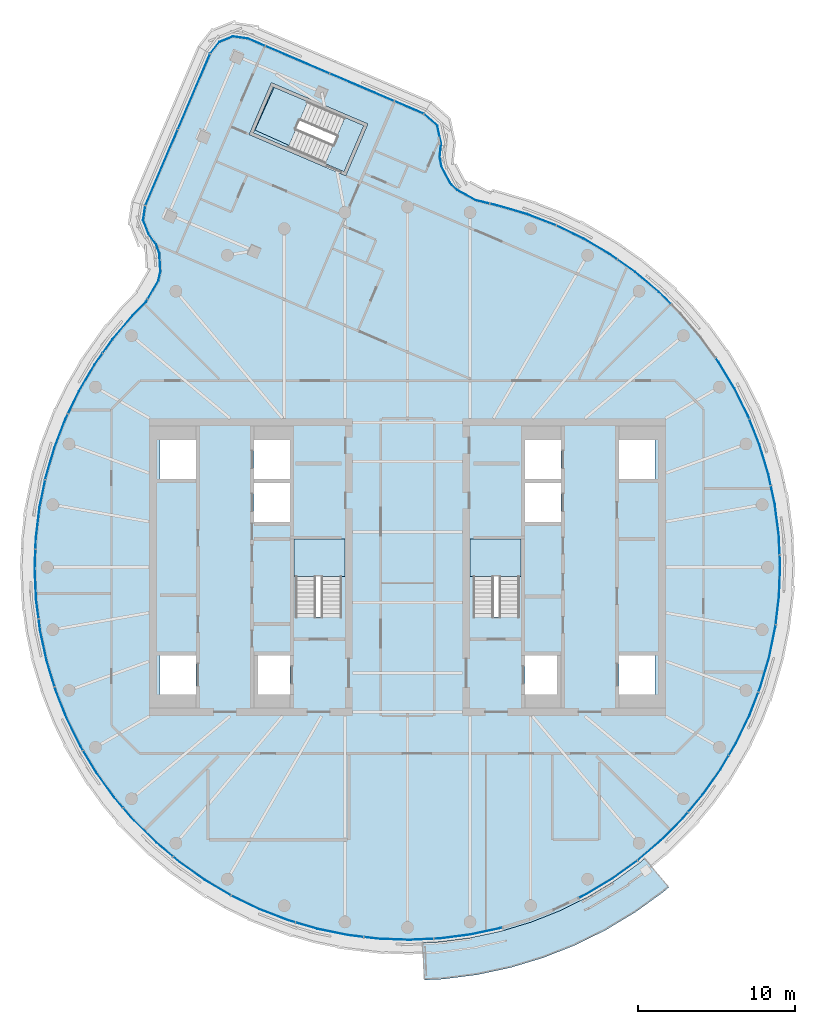
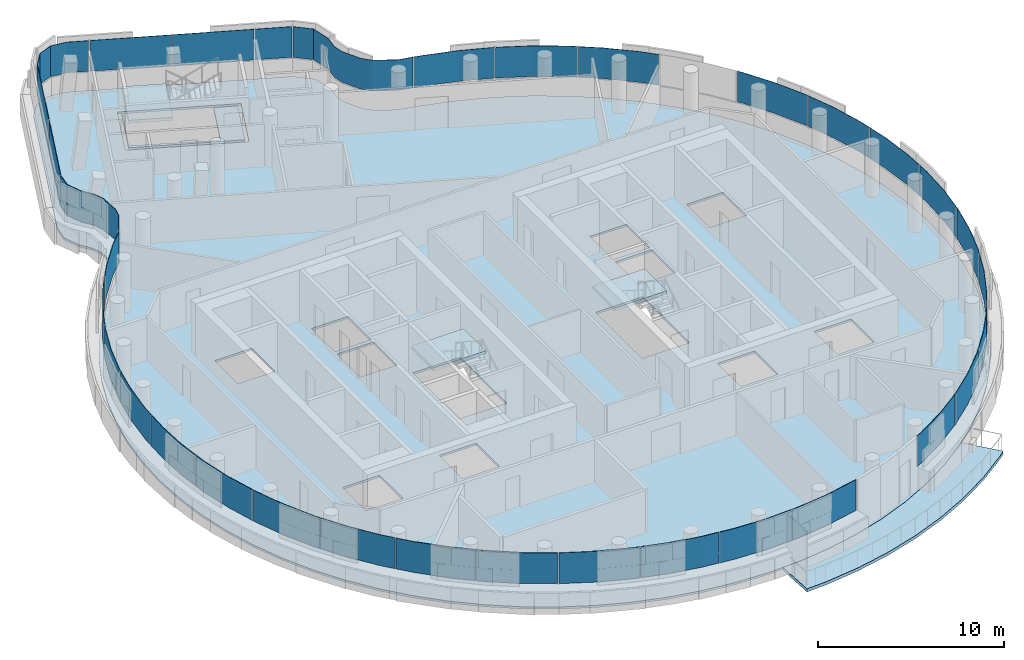
# One storey, part 11 of 20: 34 plates, 6 slabs, 6 elements without a shape of their own.
"""IFC4 building model written with IfcOpenShell, lengths in metres."""

from ifc_helpers import new_model, si_unit, direction, frame, origin, place, context, subcontext, project, spatial, polyline, outline, extrude, material, layer, layer_set, type_object, element, aggregate, save


model = new_model("IFC4")

# Units and contexts
model_context = context("Model", 3, precision=1e-05, world=origin(), true_north=direction((0.0, 1.0)))
body_context = subcontext(model_context, "Body", "Model", "MODEL_VIEW")
ifc_project = project(units=[si_unit("LENGTHUNIT", "METRE"), si_unit("AREAUNIT", "SQUARE_METRE"), si_unit("VOLUMEUNIT", "CUBIC_METRE"), si_unit("PLANEANGLEUNIT", "RADIAN"), si_unit("MASSUNIT", "GRAM", prefix="KILO")], contexts=[model_context])

# Site, building, storey
site_placement = place(None, origin())
site = spatial("IfcSite", under=ifc_project, at=site_placement, CompositionType="ELEMENT")
building_placement = place(site_placement, origin())
building = spatial("IfcBuilding", under=site, at=building_placement, Name="Tamarind Cross Interchange Tower", CompositionType="ELEMENT")
storey_placement = place(building_placement, frame((0.0, 0.0, 274.800048828125)))
storey = spatial("IfcBuildingStorey", under=building, at=storey_placement, Name="L70", CompositionType="ELEMENT", Elevation=274.800048828125)

# Slabs
ifc_material_1 = material(Name="Precast concrete C40", Category="concrete")
ifc_layer_1 = layer(ifc_material_1, 0.199951171875)
ifc_layer_set_1 = layer_set([ifc_layer_1], Name="Precast concrete C40")
slab_type_1 = type_object("IfcSlabType", Name="Balcony slab", PredefinedType="BASESLAB", material=ifc_layer_set_1)
slab_1_placement = place(storey_placement, frame((0.0, 0.0, -0.199951171875)))
element("IfcSlab", 1, at=slab_1_placement, inside=storey, type_object=slab_type_1, Name="SLB-L70-BAL01", PredefinedType="BASESLAB", context=body_context, shape_type="SweptSolid", body=[
    extrude(outline(polyline([(0.97021484375, -23.9560546875), (2.08447265625, -23.9052734375), (4.051513671875, -23.6513671875), (5.99072265625, -23.236083984375), (7.88916015625, -22.662109375), (9.733642578125, -21.93310546875), (11.511474609375, -21.054443359375), (13.2109375, -20.031982421875), (14.820068359375, -18.87255859375), (15.129638671875, -18.60791015625), (16.688720703125, -20.4326171875), (16.303466796875, -20.76171875), (14.533203125, -22.037109375), (12.663818359375, -23.162109375), (10.7080078125, -24.128662109375), (8.6787109375, -24.9306640625), (6.59033203125, -25.56201171875), (4.45703125, -26.01904296875), (2.293212890625, -26.298095703125), (1.07958984375, -26.353515625), (0.97021484375, -23.9560546875)])), origin(), (0.0, 0.0, 1.0), 0.199951171875),
])
ifc_material_2 = material(Name="Concrete C35", Category="concrete")
ifc_layer_2 = layer(ifc_material_2, 0.139892578125)
ifc_layer_set_2 = layer_set([ifc_layer_2], Name="Concrete C35")
slab_type_2 = type_object("IfcSlabType", Name="Composite slab 140 Concrete C35", PredefinedType="FLOOR", material=ifc_layer_set_2)
slab_2_placement = place(storey_placement, frame((0.0, 0.0, -0.14013671875)))
element("IfcSlab", 2, at=slab_2_placement, inside=storey, type_object=slab_type_2, Name="Floor slab L70", PredefinedType="FLOOR", context=body_context, shape_type="SweptSolid", body=[
    extrude(outline(polyline([(2.091064453125, 28.290771484375), (1.150146484375, 29.12060546875), (-10.1416015625, 33.944580078125), (-11.16650390625, 34.091064453125), (-12.127197265625, 33.70556640625), (-12.7666015625, 32.89111328125), (-16.9296875, 23.146240234375), (-17.078369140625, 22.141357421875), (-16.714111328125, 21.19287109375), (-16.221435546875, 20.5078125), (-16.038818359375, 19.994384765625), (-15.972900390625, 18.895263671875), (-16.093017578125, 18.36376953125), (-16.86083984375, 17.05126953125), (-17.72412109375, 16.17578125), (-18.99951171875, 14.656982421875), (-20.14501953125, 13.0380859375), (-21.15283203125, 11.329833984375), (-22.01611328125, 9.54443359375), (-22.72900390625, 7.693603515625), (-23.286865234375, 5.79052734375), (-23.685546875, 3.84765625), (-23.92236328125, 1.878662109375), (-23.99560546875, -0.103271484375), (-23.9052734375, -2.08447265625), (-23.651611328125, -4.051513671875), (-23.236083984375, -5.99072265625), (-22.662109375, -7.88916015625), (-21.93310546875, -9.7333984375), (-21.054443359375, -11.511474609375), (-20.031982421875, -13.2109375), (-18.87255859375, -14.820068359375), (-17.584228515625, -16.327880859375), (-16.17578125, -17.72412109375), (-14.656982421875, -18.99951171875), (-13.0380859375, -20.14501953125), (-11.329833984375, -21.15283203125), (-9.54443359375, -22.01611328125), (-7.693603515625, -22.72900390625), (-5.79052734375, -23.286865234375), (-3.84765625, -23.685546875), (-1.878662109375, -23.92236328125), (0.103271484375, -23.99560546875), (2.08447265625, -23.9052734375), (4.051513671875, -23.651611328125), (5.99072265625, -23.236083984375), (7.88916015625, -22.662109375), (9.7333984375, -21.93310546875), (11.511474609375, -21.054443359375), (13.2109375, -20.031982421875), (14.820068359375, -18.87255859375), (16.327880859375, -17.584228515625), (17.72412109375, -16.17578125), (18.99951171875, -14.656982421875), (20.14501953125, -13.0380859375), (21.15283203125, -11.329833984375), (22.01611328125, -9.54443359375), (22.72900390625, -7.693603515625), (23.286865234375, -5.79052734375), (23.685546875, -3.84765625), (23.92236328125, -1.878662109375), (23.99560546875, 0.103271484375), (23.9052734375, 2.08447265625), (23.651611328125, 4.051513671875), (23.236083984375, 5.99072265625), (22.662109375, 7.88916015625), (21.93310546875, 9.7333984375), (21.054443359375, 11.511474609375), (20.031982421875, 13.2109375), (18.87255859375, 14.820068359375), (17.584228515625, 16.327880859375), (16.17578125, 17.72412109375), (14.656982421875, 18.99951171875), (13.0380859375, 20.14501953125), (11.329833984375, 21.15283203125), (9.54443359375, 22.01611328125), (7.693603515625, 22.72900390625), (5.79052734375, 23.286865234375), (4.431396484375, 23.615478515625), (3.293212890625, 24.239501953125), (2.895751953125, 24.645263671875), (2.364990234375, 25.6640625), (2.260498046875, 26.222412109375), (2.3525390625, 27.063720703125), (2.091064453125, 28.290771484375)]), holes=[polyline([(-13.5, -5.625), (-13.5, -8.125), (-15.800048828125, -8.125), (-15.800048828125, -5.625), (-13.5, -5.625)]), polyline([(-7.5, -5.625), (-7.5, -8.125), (-9.800048828125, -8.125), (-9.800048828125, -5.625), (-7.5, -5.625)]), polyline([(-7.14990234375, 1.800048828125), (-4.199951171875, 1.800048828125), (-4.199951171875, -3.18798828125), (-7.14990234375, -3.18798828125), (-7.14990234375, 1.800048828125)]), polyline([(-7.5, 5.375), (-7.5, 2.875), (-9.800048828125, 2.875), (-9.800048828125, 5.375), (-7.5, 5.375)]), polyline([(-13.5, 8.125), (-13.5, 5.625), (-15.800048828125, 5.625), (-15.800048828125, 8.125), (-13.5, 8.125)]), polyline([(-7.5, 8.125), (-7.5, 5.625), (-9.800048828125, 5.625), (-9.800048828125, 8.125), (-7.5, 8.125)]), polyline([(-10.10400390625, 27.621337890625), (-10.025390625, 27.805419921875), (-8.768310546875, 30.748046875), (-8.689697265625, 30.931884765625), (-8.427001953125, 30.81982421875), (-8.4248046875, 30.82470703125), (-8.160400390625, 30.7060546875), (-2.5283203125, 28.2998046875), (-2.60693359375, 28.115966796875), (-3.864013671875, 25.173095703125), (-3.942626953125, 24.9892578125), (-10.10400390625, 27.621337890625)]), polyline([(7.5, -8.125), (7.5, -5.625), (9.800048828125, -5.625), (9.800048828125, -8.125), (7.5, -8.125)]), polyline([(13.5, -8.125), (13.5, -5.625), (15.800048828125, -5.625), (15.800048828125, -8.125), (13.5, -8.125)]), polyline([(4.199951171875, 1.800048828125), (7.14990234375, 1.800048828125), (7.14990234375, -3.18798828125), (4.199951171875, -3.18798828125), (4.199951171875, 1.800048828125)]), polyline([(7.5, 2.875), (7.5, 5.375), (9.800048828125, 5.375), (9.800048828125, 2.875), (7.5, 2.875)]), polyline([(7.5, 5.625), (7.5, 8.125), (9.800048828125, 8.125), (9.800048828125, 5.625), (7.5, 5.625)]), polyline([(13.5, 5.625), (13.5, 8.125), (15.800048828125, 8.125), (15.800048828125, 5.625), (13.5, 5.625)])]), origin(), (0.0, 0.0, 1.0), 0.14013671875),
])
slab_3_placement = place(storey_placement, frame((0.0, 0.0, -0.14013671875)))
element("IfcSlab", 3, at=slab_3_placement, inside=storey, type_object=slab_type_2, Name="Floor slab L70", PredefinedType="FLOOR", context=body_context, shape_type="SweptSolid", body=[
    extrude(outline(polyline([(-8.584228515625, 30.66943359375), (-9.84130859375, 27.726806640625), (-4.048095703125, 25.251708984375), (-2.790771484375, 28.194580078125), (-3.921142578125, 28.677490234375), (-3.997314453125, 28.7099609375), (-5.209228515625, 25.873291015625), (-9.7353515625, 27.9052734375), (-8.5087890625, 30.63720703125), (-8.584228515625, 30.66943359375)])), origin(), (0.0, 0.0, 1.0), 0.14013671875),
])

# Stair, slab
ifc_material_3 = material(Name="Exit stair")
stair_type = type_object("IfcStairType", Name="Exit stair", PredefinedType="HALF_TURN_STAIR", material=ifc_material_3)
stair_1_placement = place(storey_placement, origin())
stair_1 = element("IfcStair", 4, at=stair_1_placement, inside=storey, type_object=stair_type, Name="L70 exit stair ST1", PredefinedType="HALF_TURN_STAIR")
ifc_material_4 = material(Name="Concrete C40", Category="concrete")
ifc_layer_3 = layer(ifc_material_4, 0.199951171875)
ifc_layer_set_3 = layer_set([ifc_layer_3], Name="Concrete C40")
slab_type_3 = type_object("IfcSlabType", Name="Stair landing", PredefinedType="LANDING", material=ifc_layer_set_3)
slab_4_placement = place(storey_placement, frame((0.0, 0.0, 1.599853515625)))
slab_4 = element("IfcSlab", 5, at=slab_4_placement, type_object=slab_type_3, Name="ST1 landing 1", PredefinedType="LANDING", context=body_context, shape_type="SweptSolid", body=[
    extrude(outline(polyline([(-4.0, -0.60009765625), (-4.0, 1.800048828125), (-7.25, 1.800048828125), (-7.25, -0.60009765625), (-4.0, -0.60009765625)])), origin(), (0.0, 0.0, 1.0), 0.2001953125),
])
aggregate(stair_1, [slab_4])

stair_2_placement = place(storey_placement, origin())
stair_2 = element("IfcStair", 6, at=stair_2_placement, inside=storey, type_object=stair_type, Name="L70 exit stair ST2", PredefinedType="HALF_TURN_STAIR")
slab_5_placement = place(storey_placement, frame((0.0, 0.0, 1.599853515625)))
slab_5 = element("IfcSlab", 7, at=slab_5_placement, type_object=slab_type_3, Name="ST2 landing 1", PredefinedType="LANDING", context=body_context, shape_type="SweptSolid", body=[
    extrude(outline(polyline([(7.25, -0.60009765625), (7.25, 1.800048828125), (4.0, 1.800048828125), (4.0, -0.60009765625), (7.25, -0.60009765625)])), origin(), (0.0, 0.0, 1.0), 0.2001953125),
])
aggregate(stair_2, [slab_5])

stair_3_placement = place(storey_placement, origin())
stair_3 = element("IfcStair", 8, at=stair_3_placement, inside=storey, type_object=stair_type, Name="L70 exit stair ST4", PredefinedType="HALF_TURN_STAIR")
slab_6_placement = place(storey_placement, frame((0.0, 0.0, 1.599853515625)))
slab_6 = element("IfcSlab", 9, at=slab_6_placement, type_object=slab_type_3, Name="ST4 landing 1", PredefinedType="LANDING", context=body_context, shape_type="SweptSolid", body=[
    extrude(outline(polyline([(-6.3662109375, 29.721923828125), (-8.584228515625, 30.66943359375), (-9.841552734375, 27.726806640625), (-7.623291015625, 26.779296875), (-6.3662109375, 29.721923828125)])), origin(), (0.0, 0.0, 1.0), 0.2001953125),
])
aggregate(stair_3, [slab_6])

# Curtain wall, plates
ifc_material_5 = material(Name="Aluminium 6063-T6", Category="aluminium")
ifc_layer_4 = layer(ifc_material_5, 0.139892578125)
ifc_layer_set_4 = layer_set([ifc_layer_4], Name="Aluminium 6063-T6")
curtain_wall_type = type_object("IfcCurtainWallType", Name="Hotel curtain wall, 4.5 m bays", PredefinedType="NOTDEFINED", material=ifc_layer_set_4)
curtain_wall_1_placement = place(storey_placement, origin())
curtain_wall_1 = element("IfcCurtainWall", 10, at=curtain_wall_1_placement, inside=storey, type_object=curtain_wall_type, Name="CWS-L70-00", PredefinedType="NOTDEFINED")
ifc_material_6 = material(Name="Laminated low-e glass 6+1.52+6", Category="glass")
ifc_layer_5 = layer(ifc_material_6, 0.02392578125)
ifc_layer_set_5 = layer_set([ifc_layer_5], Name="Laminated low-e glass 6+1.52+6")
plate_type = type_object("IfcPlateType", Name="Vision panel CW2", PredefinedType="CURTAIN_PANEL", material=ifc_layer_set_5)
plate_1_placement = place(storey_placement, frame((0.0, 0.0, 1.39990234375)))
plate_1 = element("IfcPlate", 11, at=plate_1_placement, type_object=plate_type, Name="CWP-L70-00-00", PredefinedType="CURTAIN_PANEL", context=body_context, shape_type="SweptSolid", body=[
    extrude(outline(polyline([(-12.59375, 32.756103515625), (-14.641357421875, 27.962890625), (-14.66357421875, 27.97216796875), (-12.61572265625, 32.765625), (-12.59375, 32.756103515625)])), origin(), (0.0, 0.0, 1.0), 2.02001953125),
])
plate_2_placement = place(storey_placement, frame((0.0, 0.0, 1.39990234375)))
plate_2 = element("IfcPlate", 12, at=plate_2_placement, type_object=plate_type, Name="CWP-L70-00-01", PredefinedType="CURTAIN_PANEL", context=body_context, shape_type="SweptSolid", body=[
    extrude(outline(polyline([(-14.6650390625, 27.90771484375), (-16.712890625, 23.114501953125), (-16.73486328125, 23.123779296875), (-14.68701171875, 27.9169921875), (-14.6650390625, 27.90771484375)])), origin(), (0.0, 0.0, 1.0), 2.02001953125),
])
aggregate(curtain_wall_1, [plate_1, plate_2])

curtain_wall_2_placement = place(storey_placement, origin())
curtain_wall_2 = element("IfcCurtainWall", 13, at=curtain_wall_2_placement, inside=storey, type_object=curtain_wall_type, Name="CWS-L70-01", PredefinedType="NOTDEFINED")
plate_3_placement = place(storey_placement, frame((0.0, 0.0, 1.39990234375)))
plate_3 = element("IfcPlate", 14, at=plate_3_placement, type_object=plate_type, Name="CWP-L70-01-00", PredefinedType="CURTAIN_PANEL", context=body_context, shape_type="SweptSolid", body=[
    extrude(outline(polyline([(-16.72802734375, 23.06005859375), (-16.860595703125, 22.165283203125), (-16.526123046875, 21.29443359375), (-16.031982421875, 20.607177734375), (-15.8291015625, 20.037109375), (-15.759521484375, 18.8779296875), (-15.893310546875, 18.28515625), (-16.565185546875, 17.136962890625), (-16.5859375, 17.149169921875), (-15.916015625, 18.2939453125), (-15.78369140625, 18.8798828125), (-15.852783203125, 20.0322265625), (-16.05322265625, 20.595947265625), (-16.54736328125, 21.282958984375), (-16.88525390625, 22.16259765625), (-16.751953125, 23.0634765625), (-16.72802734375, 23.06005859375)])), origin(), (0.0, 0.0, 1.0), 2.02001953125),
])
plate_4_placement = place(storey_placement, frame((0.0, 0.0, 1.39990234375)))
plate_4 = element("IfcPlate", 15, at=plate_4_placement, type_object=plate_type, Name="CWP-L70-01-01", PredefinedType="CURTAIN_PANEL", context=body_context, shape_type="SweptSolid", body=[
    extrude(outline(polyline([(-16.595458984375, 17.085205078125), (-16.69140625, 16.921142578125), (-17.5673828125, 16.032958984375), (-18.83154296875, 14.52734375), (-19.431884765625, 13.6787109375), (-19.451416015625, 13.692626953125), (-18.850341796875, 14.5419921875), (-17.5849609375, 16.04931640625), (-16.71044921875, 16.93603515625), (-16.6162109375, 17.097412109375), (-16.595458984375, 17.085205078125)])), origin(), (0.0, 0.0, 1.0), 2.02001953125),
])
plate_5_placement = place(storey_placement, frame((0.0, 0.0, 1.39990234375)))
plate_5 = element("IfcPlate", 16, at=plate_5_placement, type_object=plate_type, Name="CWP-L70-01-02", PredefinedType="CURTAIN_PANEL", context=body_context, shape_type="SweptSolid", body=[
    extrude(outline(polyline([(-19.466552734375, 13.6298828125), (-19.966796875, 12.922607421875), (-20.9658203125, 11.229736328125), (-21.650634765625, 9.813232421875), (-21.672119140625, 9.82373046875), (-20.98681640625, 11.240966796875), (-19.987060546875, 12.935791015625), (-19.486083984375, 13.643798828125), (-19.466552734375, 13.6298828125)])), origin(), (0.0, 0.0, 1.0), 2.02001953125),
])
plate_6_placement = place(storey_placement, frame((0.0, 0.0, 1.39990234375)))
plate_6 = element("IfcPlate", 17, at=plate_6_placement, type_object=plate_type, Name="CWP-L70-01-03", PredefinedType="CURTAIN_PANEL", context=body_context, shape_type="SweptSolid", body=[
    extrude(outline(polyline([(-21.6767578125, 9.75927734375), (-21.821533203125, 9.4599609375), (-22.528076171875, 7.625732421875), (-23.080810546875, 5.7392578125), (-23.10888671875, 5.6025390625), (-23.132568359375, 5.607421875), (-23.104248046875, 5.7451171875), (-22.55078125, 7.63330078125), (-21.843505859375, 9.469482421875), (-21.6982421875, 9.769775390625), (-21.6767578125, 9.75927734375)])), origin(), (0.0, 0.0, 1.0), 2.02001953125),
])
plate_7_placement = place(storey_placement, frame((0.0, 0.0, 1.39990234375)))
plate_7 = element("IfcPlate", 18, at=plate_7_placement, type_object=plate_type, Name="CWP-L70-01-04", PredefinedType="CURTAIN_PANEL", context=body_context, shape_type="SweptSolid", body=[
    extrude(outline(polyline([(-23.12109375, 5.543701171875), (-23.47607421875, 3.813720703125), (-23.710693359375, 1.862060546875), (-23.735595703125, 1.189208984375), (-23.759765625, 1.190185546875), (-23.734619140625, 1.864013671875), (-23.499755859375, 3.817626953125), (-23.14453125, 5.548583984375), (-23.12109375, 5.543701171875)])), origin(), (0.0, 0.0, 1.0), 2.02001953125),
])
plate_8_placement = place(storey_placement, frame((0.0, 0.0, 1.39990234375)))
plate_8 = element("IfcPlate", 19, at=plate_8_placement, type_object=plate_type, Name="CWP-L70-01-05", PredefinedType="CURTAIN_PANEL", context=body_context, shape_type="SweptSolid", body=[
    extrude(outline(polyline([(-23.738037109375, 1.129150390625), (-23.783447265625, -0.102294921875), (-23.69384765625, -2.06591796875), (-23.539306640625, -3.26318359375), (-23.563232421875, -3.26611328125), (-23.7177734375, -2.068115234375), (-23.8076171875, -0.1025390625), (-23.761962890625, 1.130126953125), (-23.738037109375, 1.129150390625)])), origin(), (0.0, 0.0, 1.0), 2.02001953125),
])
plate_9_placement = place(storey_placement, frame((0.0, 0.0, 1.39990234375)))
plate_9 = element("IfcPlate", 20, at=plate_9_placement, type_object=plate_type, Name="CWP-L70-01-06", PredefinedType="CURTAIN_PANEL", context=body_context, shape_type="SweptSolid", body=[
    extrude(outline(polyline([(-23.53173828125, -3.322509765625), (-23.4423828125, -4.015625), (-23.03076171875, -5.937744140625), (-22.52685546875, -7.60400390625), (-22.5498046875, -7.61083984375), (-23.053955078125, -5.94384765625), (-23.466064453125, -4.019775390625), (-23.555419921875, -3.32568359375), (-23.53173828125, -3.322509765625)])), origin(), (0.0, 0.0, 1.0), 2.02001953125),
])
plate_10_placement = place(storey_placement, frame((0.0, 0.0, 1.39990234375)))
plate_10 = element("IfcPlate", 21, at=plate_10_placement, type_object=plate_type, Name="CWP-L70-01-07", PredefinedType="CURTAIN_PANEL", context=body_context, shape_type="SweptSolid", body=[
    extrude(outline(polyline([(-22.509521484375, -7.661376953125), (-22.461669921875, -7.8193359375), (-21.7392578125, -9.6474609375), (-20.868408203125, -11.40966796875), (-20.7099609375, -11.6728515625), (-20.73046875, -11.685302734375), (-20.889404296875, -11.421142578125), (-21.76123046875, -9.6572265625), (-22.484375, -7.8271484375), (-22.532470703125, -7.668212890625), (-22.509521484375, -7.661376953125)])), origin(), (0.0, 0.0, 1.0), 2.02001953125),
])
plate_11_placement = place(storey_placement, frame((0.0, 0.0, 1.39990234375)))
plate_11 = element("IfcPlate", 22, at=plate_11_placement, type_object=plate_type, Name="CWP-L70-01-08", PredefinedType="CURTAIN_PANEL", context=body_context, shape_type="SweptSolid", body=[
    extrude(outline(polyline([(-20.678955078125, -11.724365234375), (-19.854736328125, -13.093994140625), (-18.705810546875, -14.68896484375), (-18.159423828125, -15.328125), (-18.177734375, -15.34375), (-18.724609375, -14.703857421875), (-19.874755859375, -13.107177734375), (-20.699462890625, -11.736572265625), (-20.678955078125, -11.724365234375)])), origin(), (0.0, 0.0, 1.0), 2.02001953125),
])
plate_12_placement = place(storey_placement, frame((0.0, 0.0, 1.39990234375)))
plate_12 = element("IfcPlate", 23, at=plate_12_placement, type_object=plate_type, Name="CWP-L70-01-09", PredefinedType="CURTAIN_PANEL", context=body_context, shape_type="SweptSolid", body=[
    extrude(outline(polyline([(-18.12060546875, -15.373779296875), (-17.4287109375, -16.183349609375), (-16.032958984375, -17.5673828125), (-14.980224609375, -18.451416015625), (-14.99560546875, -18.4697265625), (-16.049072265625, -17.585205078125), (-17.4462890625, -16.19970703125), (-18.138916015625, -15.389404296875), (-18.12060546875, -15.373779296875)])), origin(), (0.0, 0.0, 1.0), 2.02001953125),
])
plate_13_placement = place(storey_placement, frame((0.0, 0.0, 1.39990234375)))
plate_13 = element("IfcPlate", 24, at=plate_13_placement, type_object=plate_type, Name="CWP-L70-01-10", PredefinedType="CURTAIN_PANEL", context=body_context, shape_type="SweptSolid", body=[
    extrude(outline(polyline([(-14.93408203125, -18.489990234375), (-14.52734375, -18.83154296875), (-12.922607421875, -19.966796875), (-11.279296875, -20.9365234375), (-11.29150390625, -20.95703125), (-12.935791015625, -19.987060546875), (-14.5419921875, -18.850341796875), (-14.94970703125, -18.50830078125), (-14.93408203125, -18.489990234375)])), origin(), (0.0, 0.0, 1.0), 2.02001953125),
])
plate_14_placement = place(storey_placement, frame((0.0, 0.0, 1.39990234375)))
plate_14 = element("IfcPlate", 25, at=plate_14_placement, type_object=plate_type, Name="CWP-L70-01-11", PredefinedType="CURTAIN_PANEL", context=body_context, shape_type="SweptSolid", body=[
    extrude(outline(polyline([(-11.228271484375, -20.96630859375), (-9.4599609375, -21.821533203125), (-7.625732421875, -22.528076171875), (-7.170166015625, -22.66162109375), (-7.177001953125, -22.6845703125), (-7.63330078125, -22.55078125), (-9.469482421875, -21.843505859375), (-11.23876953125, -20.988037109375), (-11.228271484375, -20.96630859375)])), origin(), (0.0, 0.0, 1.0), 2.02001953125),
])
plate_15_placement = place(storey_placement, frame((0.0, 0.0, 1.39990234375)))
plate_15 = element("IfcPlate", 26, at=plate_15_placement, type_object=plate_type, Name="CWP-L70-01-12", PredefinedType="CURTAIN_PANEL", context=body_context, shape_type="SweptSolid", body=[
    extrude(outline(polyline([(-7.112548828125, -22.678466796875), (-5.7392578125, -23.080810546875), (-3.813720703125, -23.47607421875), (-2.8125, -23.596435546875), (-2.8154296875, -23.620361328125), (-3.817626953125, -23.499755859375), (-5.7451171875, -23.104248046875), (-7.119384765625, -22.701416015625), (-7.112548828125, -22.678466796875)])), origin(), (0.0, 0.0, 1.0), 2.02001953125),
])
plate_16_placement = place(storey_placement, frame((0.0, 0.0, 1.39990234375)))
plate_16 = element("IfcPlate", 27, at=plate_16_placement, type_object=plate_type, Name="CWP-L70-01-13", PredefinedType="CURTAIN_PANEL", context=body_context, shape_type="SweptSolid", body=[
    extrude(outline(polyline([(-2.7529296875, -23.603515625), (-1.862060546875, -23.710693359375), (0.102294921875, -23.783447265625), (1.64306640625, -23.713134765625), (1.64404296875, -23.737060546875), (0.1025390625, -23.8076171875), (-1.864013671875, -23.734619140625), (-2.755859375, -23.62744140625), (-2.7529296875, -23.603515625)])), origin(), (0.0, 0.0, 1.0), 2.02001953125),
])
plate_17_placement = place(storey_placement, frame((0.0, 0.0, 1.39990234375)))
plate_17 = element("IfcPlate", 28, at=plate_17_placement, type_object=plate_type, Name="CWP-L70-01-14", PredefinedType="CURTAIN_PANEL", context=body_context, shape_type="SweptSolid", body=[
    extrude(outline(polyline([(1.702880859375, -23.71044921875), (2.06591796875, -23.69384765625), (4.015625, -23.4423828125), (5.937744140625, -23.03076171875), (6.041748046875, -22.999267578125), (6.048583984375, -23.022216796875), (5.94384765625, -23.053955078125), (4.019775390625, -23.466064453125), (2.068115234375, -23.7177734375), (1.7041015625, -23.734375), (1.702880859375, -23.71044921875)])), origin(), (0.0, 0.0, 1.0), 2.02001953125),
])
plate_18_placement = place(storey_placement, frame((0.0, 0.0, 1.39990234375)))
plate_18 = element("IfcPlate", 29, at=plate_18_placement, type_object=plate_type, Name="CWP-L70-01-16", PredefinedType="CURTAIN_PANEL", context=body_context, shape_type="SweptSolid", body=[
    extrude(outline(polyline([(10.94775390625, -21.0966796875), (11.40966796875, -20.868408203125), (13.093994140625, -19.854736328125), (14.655029296875, -18.730224609375), (14.6689453125, -18.74951171875), (13.107177734375, -19.874755859375), (11.421142578125, -20.889404296875), (10.958251953125, -21.1181640625), (10.94775390625, -21.0966796875)])), origin(), (0.0, 0.0, 1.0), 2.02001953125),
])
plate_19_placement = place(storey_placement, frame((0.0, 0.0, 1.39990234375)))
plate_19 = element("IfcPlate", 30, at=plate_19_placement, type_object=plate_type, Name="CWP-L70-01-17", PredefinedType="CURTAIN_PANEL", context=body_context, shape_type="SweptSolid", body=[
    extrude(outline(polyline([(14.701904296875, -18.694580078125), (16.183349609375, -17.4287109375), (17.5673828125, -16.032958984375), (17.8828125, -15.6572265625), (17.901123046875, -15.672607421875), (17.585205078125, -16.049072265625), (16.19970703125, -17.4462890625), (14.717529296875, -18.712646484375), (14.701904296875, -18.694580078125)])), origin(), (0.0, 0.0, 1.0), 2.02001953125),
])
plate_20_placement = place(storey_placement, frame((0.0, 0.0, 1.39990234375)))
plate_20 = element("IfcPlate", 31, at=plate_20_placement, type_object=plate_type, Name="CWP-L70-01-18", PredefinedType="CURTAIN_PANEL", context=body_context, shape_type="SweptSolid", body=[
    extrude(outline(polyline([(17.92138671875, -15.611328125), (18.83154296875, -14.52734375), (19.966796875, -12.922607421875), (20.4873046875, -12.04052734375), (20.5078125, -12.052734375), (19.987060546875, -12.935791015625), (18.850341796875, -14.5419921875), (17.939697265625, -15.626708984375), (17.92138671875, -15.611328125)])), origin(), (0.0, 0.0, 1.0), 2.02001953125),
])
plate_21_placement = place(storey_placement, frame((0.0, 0.0, 1.39990234375)))
plate_21 = element("IfcPlate", 32, at=plate_21_placement, type_object=plate_type, Name="CWP-L70-01-19", PredefinedType="CURTAIN_PANEL", context=body_context, shape_type="SweptSolid", body=[
    extrude(outline(polyline([(20.517822265625, -11.989013671875), (20.9658203125, -11.229736328125), (21.821533203125, -9.4599609375), (22.381591796875, -8.00634765625), (22.40380859375, -8.014892578125), (21.843505859375, -9.469482421875), (20.98681640625, -11.240966796875), (20.538330078125, -12.001220703125), (20.517822265625, -11.989013671875)])), origin(), (0.0, 0.0, 1.0), 2.02001953125),
])
plate_22_placement = place(storey_placement, frame((0.0, 0.0, 1.39990234375)))
plate_22 = element("IfcPlate", 33, at=plate_22_placement, type_object=plate_type, Name="CWP-L70-01-20", PredefinedType="CURTAIN_PANEL", context=body_context, shape_type="SweptSolid", body=[
    extrude(outline(polyline([(22.403076171875, -7.9501953125), (22.528076171875, -7.625732421875), (23.080810546875, -5.7392578125), (23.47607421875, -3.813720703125), (23.490966796875, -3.690185546875), (23.5146484375, -3.693115234375), (23.499755859375, -3.817626953125), (23.104248046875, -5.7451171875), (22.55078125, -7.63330078125), (22.425537109375, -7.958984375), (22.403076171875, -7.9501953125)])), origin(), (0.0, 0.0, 1.0), 2.02001953125),
])
plate_23_placement = place(storey_placement, frame((0.0, 0.0, 1.39990234375)))
plate_23 = element("IfcPlate", 34, at=plate_23_placement, type_object=plate_type, Name="CWP-L70-01-21", PredefinedType="CURTAIN_PANEL", context=body_context, shape_type="SweptSolid", body=[
    extrude(outline(polyline([(23.498046875, -3.630615234375), (23.710693359375, -1.862060546875), (23.783447265625, 0.102294921875), (23.75341796875, 0.759521484375), (23.777587890625, 0.7607421875), (23.8076171875, 0.1025390625), (23.734619140625, -1.864013671875), (23.52197265625, -3.633544921875), (23.498046875, -3.630615234375)])), origin(), (0.0, 0.0, 1.0), 2.02001953125),
])
plate_24_placement = place(storey_placement, frame((0.0, 0.0, 1.39990234375)))
plate_24 = element("IfcPlate", 35, at=plate_24_placement, type_object=plate_type, Name="CWP-L70-01-22", PredefinedType="CURTAIN_PANEL", context=body_context, shape_type="SweptSolid", body=[
    extrude(outline(polyline([(23.750732421875, 0.819580078125), (23.69384765625, 2.06591796875), (23.4423828125, 4.015625), (23.19287109375, 5.180908203125), (23.21630859375, 5.185791015625), (23.466064453125, 4.019775390625), (23.7177734375, 2.068115234375), (23.774658203125, 0.820556640625), (23.750732421875, 0.819580078125)])), origin(), (0.0, 0.0, 1.0), 2.02001953125),
])
plate_25_placement = place(storey_placement, frame((0.0, 0.0, 1.39990234375)))
plate_25 = element("IfcPlate", 36, at=plate_25_placement, type_object=plate_type, Name="CWP-L70-01-23", PredefinedType="CURTAIN_PANEL", context=body_context, shape_type="SweptSolid", body=[
    extrude(outline(polyline([(23.18017578125, 5.239501953125), (23.03076171875, 5.937744140625), (22.461669921875, 7.8193359375), (21.82763671875, 9.424072265625), (21.849853515625, 9.432861328125), (22.484375, 7.8271484375), (23.053955078125, 5.94384765625), (23.20361328125, 5.24462890625), (23.18017578125, 5.239501953125)])), origin(), (0.0, 0.0, 1.0), 2.02001953125),
])
plate_26_placement = place(storey_placement, frame((0.0, 0.0, 1.39990234375)))
plate_26 = element("IfcPlate", 37, at=plate_26_placement, type_object=plate_type, Name="CWP-L70-01-24", PredefinedType="CURTAIN_PANEL", context=body_context, shape_type="SweptSolid", body=[
    extrude(outline(polyline([(21.805419921875, 9.479736328125), (21.7392578125, 9.6474609375), (20.868408203125, 11.40966796875), (19.854736328125, 13.093994140625), (19.68408203125, 13.330810546875), (19.70361328125, 13.344970703125), (19.874755859375, 13.107177734375), (20.889404296875, 11.421142578125), (21.76123046875, 9.6572265625), (21.827880859375, 9.488525390625), (21.805419921875, 9.479736328125)])), origin(), (0.0, 0.0, 1.0), 2.02001953125),
])
plate_27_placement = place(storey_placement, frame((0.0, 0.0, 1.39990234375)))
plate_27 = element("IfcPlate", 38, at=plate_27_placement, type_object=plate_type, Name="CWP-L70-01-26", PredefinedType="CURTAIN_PANEL", context=body_context, shape_type="SweptSolid", body=[
    extrude(outline(polyline([(16.800048828125, 16.806884765625), (16.032958984375, 17.5673828125), (14.52734375, 18.83154296875), (13.417724609375, 19.616455078125), (13.431640625, 19.63623046875), (14.5419921875, 18.850341796875), (16.049072265625, 17.585205078125), (16.81689453125, 16.823974609375), (16.800048828125, 16.806884765625)])), origin(), (0.0, 0.0, 1.0), 2.02001953125),
])
plate_28_placement = place(storey_placement, frame((0.0, 0.0, 1.39990234375)))
plate_28 = element("IfcPlate", 39, at=plate_28_placement, type_object=plate_type, Name="CWP-L70-01-27", PredefinedType="CURTAIN_PANEL", context=body_context, shape_type="SweptSolid", body=[
    extrude(outline(polyline([(13.36865234375, 19.651123046875), (12.922607421875, 19.966796875), (11.229736328125, 20.9658203125), (9.525634765625, 21.789794921875), (9.5361328125, 21.811279296875), (11.240966796875, 20.98681640625), (12.935791015625, 19.987060546875), (13.382568359375, 19.6708984375), (13.36865234375, 19.651123046875)])), origin(), (0.0, 0.0, 1.0), 2.02001953125),
])
plate_29_placement = place(storey_placement, frame((0.0, 0.0, 1.39990234375)))
plate_29 = element("IfcPlate", 40, at=plate_29_placement, type_object=plate_type, Name="CWP-L70-01-28", PredefinedType="CURTAIN_PANEL", context=body_context, shape_type="SweptSolid", body=[
    extrude(outline(polyline([(9.471435546875, 21.81591796875), (9.4599609375, 21.821533203125), (7.625732421875, 22.528076171875), (5.73583984375, 23.08203125), (5.277099609375, 23.19287109375), (5.28271484375, 23.21630859375), (5.741943359375, 23.105224609375), (7.63330078125, 22.55078125), (9.469482421875, 21.843505859375), (9.48193359375, 21.83740234375), (9.471435546875, 21.81591796875)])), origin(), (0.0, 0.0, 1.0), 2.02001953125),
])
plate_30_placement = place(storey_placement, frame((0.0, 0.0, 1.39990234375)))
plate_30 = element("IfcPlate", 41, at=plate_30_placement, type_object=plate_type, Name="CWP-L70-01-29", PredefinedType="CURTAIN_PANEL", context=body_context, shape_type="SweptSolid", body=[
    extrude(outline(polyline([(5.21875, 23.20703125), (4.354248046875, 23.416015625), (3.163818359375, 24.068603515625), (2.722412109375, 24.519287109375), (2.16259765625, 25.593994140625), (2.046142578125, 26.214111328125), (2.137939453125, 27.052978515625), (1.898193359375, 28.17822265625), (1.056640625, 28.920654296875), (1.072509765625, 28.9384765625), (1.920166015625, 28.19091796875), (2.162353515625, 27.05419921875), (2.070556640625, 26.215087890625), (2.185546875, 25.60205078125), (2.741943359375, 24.53369140625), (3.178466796875, 24.087890625), (4.363037109375, 23.438720703125), (5.224365234375, 23.230224609375), (5.21875, 23.20703125)])), origin(), (0.0, 0.0, 1.0), 2.02001953125),
])
aggregate(curtain_wall_2, [plate_3, plate_4, plate_5, plate_6, plate_7, plate_8, plate_9, plate_10, plate_11, plate_12, plate_13, plate_14, plate_15, plate_16, plate_17, plate_18, plate_19, plate_20, plate_21, plate_22, plate_23, plate_24, plate_25, plate_26, plate_27, plate_28, plate_29, plate_30])

curtain_wall_3_placement = place(storey_placement, origin())
curtain_wall_3 = element("IfcCurtainWall", 42, at=curtain_wall_3_placement, inside=storey, type_object=curtain_wall_type, Name="CWS-L70-02", PredefinedType="NOTDEFINED")
plate_31_placement = place(storey_placement, frame((0.0, 0.0, 1.39990234375)))
plate_31 = element("IfcPlate", 43, at=plate_31_placement, type_object=plate_type, Name="CWP-L70-02-00", PredefinedType="CURTAIN_PANEL", context=body_context, shape_type="SweptSolid", body=[
    extrude(outline(polyline([(1.009765625, 28.9501953125), (-0.82080078125, 29.732177734375), (-0.811279296875, 29.754150390625), (1.01904296875, 28.97216796875), (1.009765625, 28.9501953125)])), origin(), (0.0, 0.0, 1.0), 2.02001953125),
])
plate_32_placement = place(storey_placement, frame((0.0, 0.0, 1.39990234375)))
plate_32 = element("IfcPlate", 44, at=plate_32_placement, type_object=plate_type, Name="CWP-L70-02-01", PredefinedType="CURTAIN_PANEL", context=body_context, shape_type="SweptSolid", body=[
    extrude(outline(polyline([(-0.8759765625, 29.755615234375), (-4.939208984375, 31.491455078125), (-4.9296875, 31.513671875), (-0.866455078125, 29.77783203125), (-0.8759765625, 29.755615234375)])), origin(), (0.0, 0.0, 1.0), 2.02001953125),
])
plate_33_placement = place(storey_placement, frame((0.0, 0.0, 1.39990234375)))
plate_33 = element("IfcPlate", 45, at=plate_33_placement, type_object=plate_type, Name="CWP-L70-02-02", PredefinedType="CURTAIN_PANEL", context=body_context, shape_type="SweptSolid", body=[
    extrude(outline(polyline([(-4.994384765625, 31.51513671875), (-9.0576171875, 33.2509765625), (-9.048095703125, 33.273193359375), (-4.98486328125, 31.537109375), (-4.994384765625, 31.51513671875)])), origin(), (0.0, 0.0, 1.0), 2.02001953125),
])
plate_34_placement = place(storey_placement, frame((0.0, 0.0, 1.39990234375)))
plate_34 = element("IfcPlate", 46, at=plate_34_placement, type_object=plate_type, Name="CWP-L70-02-03", PredefinedType="CURTAIN_PANEL", context=body_context, shape_type="SweptSolid", body=[
    extrude(outline(polyline([(-9.11279296875, 33.274658203125), (-10.19921875, 33.73876953125), (-11.14013671875, 33.873291015625), (-11.99560546875, 33.530029296875), (-12.56494140625, 32.8046875), (-12.583984375, 32.8193359375), (-12.010498046875, 33.5498046875), (-11.143310546875, 33.89794921875), (-10.192626953125, 33.761962890625), (-9.103271484375, 33.296630859375), (-9.11279296875, 33.274658203125)])), origin(), (0.0, 0.0, 1.0), 2.02001953125),
])
aggregate(curtain_wall_3, [plate_31, plate_32, plate_33, plate_34])

save(model, "model.ifc")
